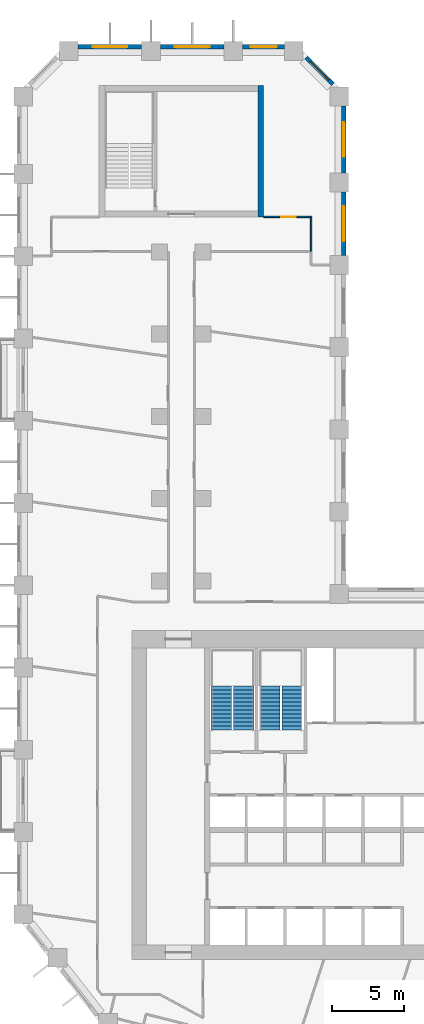
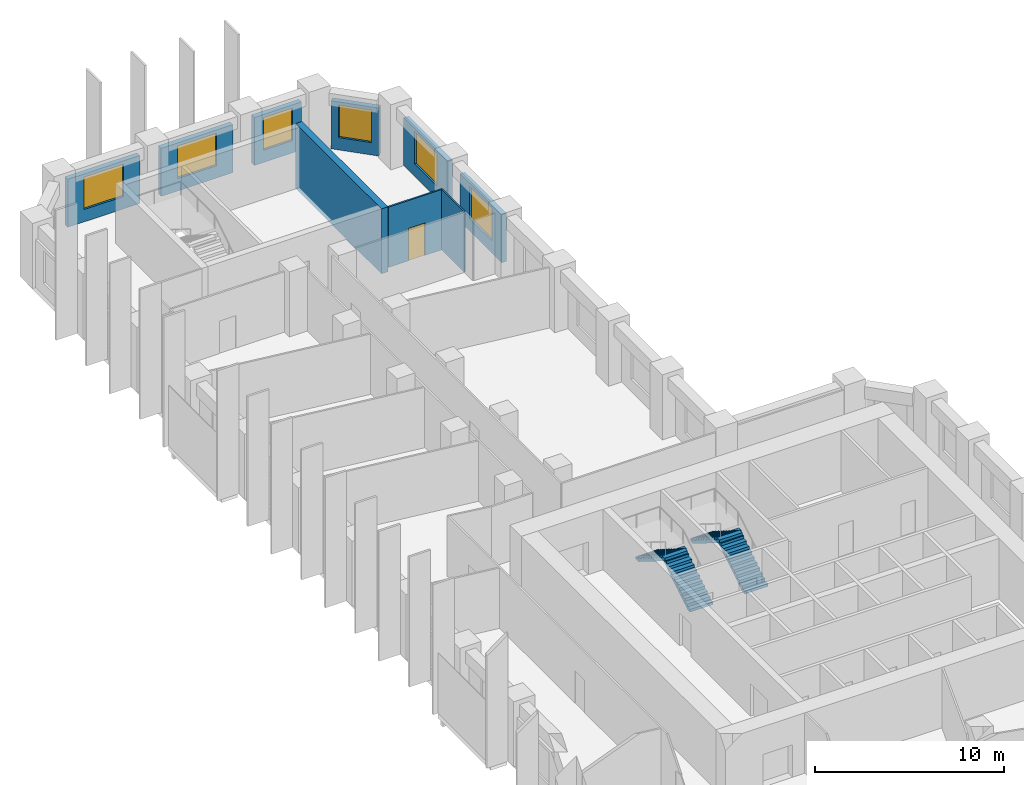
# One storey, part 9 of 11: 9 walls, 6 windows, 4 stair flights, 1 door, 7 openings, 2 elements without a shape of their own.
"""IFC4 building model written with IfcOpenShell, lengths in metres."""

from ifc_helpers import new_model, si_unit, direction, frame, frame_2d, origin, place, context, subcontext, project, spatial, polyline, rectangle, outline, extrude, material, layer, layer_set, type_object, element, fill, aggregate, save


model = new_model("IFC4")

# Units and contexts
model_context = context("Model", 3, precision=1e-05, world=origin(), true_north=direction((0.0, 1.0)))
body_context = subcontext(model_context, "Body", "Model", "MODEL_VIEW")
ifc_project = project(units=[si_unit("LENGTHUNIT", "METRE"), si_unit("AREAUNIT", "SQUARE_METRE"), si_unit("VOLUMEUNIT", "CUBIC_METRE"), si_unit("PLANEANGLEUNIT", "RADIAN"), si_unit("MASSUNIT", "GRAM", prefix="KILO")], contexts=[model_context])

# Site, building, storey
site_placement = place(None, origin())
site = spatial("IfcSite", under=ifc_project, at=site_placement, CompositionType="ELEMENT")
building_placement = place(site_placement, origin())
building = spatial("IfcBuilding", under=site, at=building_placement, Name="Meshkara Civic Tower", CompositionType="ELEMENT")
storey_placement = place(building_placement, frame((0.0, 0.0, 147.60009765625)))
storey = spatial("IfcBuildingStorey", under=building, at=storey_placement, Name="L33", CompositionType="ELEMENT", Elevation=147.60009765625)

# Wall
ifc_material_1 = material(Name="Corridor wall 100")
ifc_layer_1 = layer(ifc_material_1, 0.10009765625)
ifc_layer_set_1 = layer_set([ifc_layer_1], Name="Corridor wall 100")
wall_type_1 = type_object("IfcWallType", Name="Corridor wall 100", PredefinedType="PARTITIONING", material=ifc_layer_set_1)
wall_1_placement = place(storey_placement, frame((20.39990234375, 63.169921875, 0.0), z_axis=(0.0, 0.0, 1.0), x_axis=(0.0, 1.0, 0.0)))
element("IfcWall", 1, at=wall_1_placement, inside=storey, type_object=wall_type_1, Name="L33-W017", PredefinedType="PARTITIONING", context=body_context, shape_type="SweptSolid", body=[
    extrude(rectangle(XDim=2.400146484375, YDim=0.10009765625, at=frame_2d((1.2001953125, 0.0))), origin(), (0.0, 0.0, 1.0), 3.89990234375),
])

# Wall, opening, door
wall_2_placement = place(storey_placement, frame((20.39990234375, 65.570068359375, 0.0), z_axis=(0.0, 0.0, 1.0), x_axis=(-1.0, 0.0, 0.0)))
wall_2 = element("IfcWall", 2, at=wall_2_placement, inside=storey, type_object=wall_type_1, Name="L33-W018", PredefinedType="PARTITIONING", context=body_context, shape_type="SweptSolid", body=[
    extrude(rectangle(XDim=3.2998046875, YDim=0.10009765625, at=frame_2d((1.64990234375, 0.0))), origin(), (0.0, 0.0, 1.0), 3.89990234375),
])
opening_1_placement = place(wall_2_placement, frame((1.080078125, 0.0, 0.0)))
opening_1 = element("IfcOpeningElement", 3, at=opening_1_placement, cuts=wall_2, Name="Opening L33-D026", PredefinedType="OPENING", context=body_context, shape_type="SweptSolid", body=[
    extrude(rectangle(XDim=1.0, YDim=2.10009765625, at=frame_2d((0.5, 1.050048828125))), frame((0.0, 0.06005859375, 0.0), z_axis=(0.0, -1.0, 0.0), x_axis=(1.0, 0.0, 0.0)), (0.0, 0.0, 1.0), 0.1201171875),
])
ifc_material_2 = material(Name="Door 1000 x 2100")
door_type = type_object("IfcDoorType", Name="Door 1000 x 2100", OperationType="SINGLE_SWING_LEFT", PredefinedType="DOOR", material=ifc_material_2)
door_placement = place(opening_1_placement, origin())
door = element("IfcDoor", 4, at=door_placement, inside=storey, type_object=door_type, Name="L33-D026", OperationType="SINGLE_SWING_RIGHT", OverallHeight=2.10009765625, OverallWidth=1.0, PredefinedType="DOOR", context=body_context, shape_type="SweptSolid", body=[
    extrude(rectangle(XDim=1.0, YDim=2.10009765625, at=frame_2d((0.5, 1.050048828125))), frame((0.0, 0.02490234375, 0.0), z_axis=(0.0, -1.0, 0.0), x_axis=(1.0, 0.0, 0.0)), (0.0, 0.0, 1.0), 0.050048828125),
])
fill(opening_1, door)

# Wall, opening, window
ifc_material_3 = material(Name="Insulated infill panel with bronze anodised aluminium cladding", Category="aluminium")
ifc_layer_2 = layer(ifc_material_3, 0.300048828125)
ifc_layer_set_2 = layer_set([ifc_layer_2], Name="EXTERNAL INFILL WALL 300")
wall_type_2 = type_object("IfcWallType", Name="EXTERNAL INFILL WALL 300", PredefinedType="SOLIDWALL", material=ifc_layer_set_2)
wall_3_placement = place(storey_placement, frame((22.64990234375, 62.89990234375, 0.0), z_axis=(0.0, 0.0, 1.0), x_axis=(0.0, 1.0, 0.0)))
wall_3 = element("IfcWall", 5, at=wall_3_placement, inside=storey, type_object=wall_type_2, Name="External wall", PredefinedType="SOLIDWALL", context=body_context, shape_type="SweptSolid", body=[
    extrude(rectangle(XDim=4.400146484375, YDim=0.300048828125, at=frame_2d((2.2001953125, 0.0))), origin(), (0.0, 0.0, 1.0), 3.099853515625),
])
opening_2_placement = place(wall_3_placement, frame((1.0, 0.0, 0.800048828125)))
opening_2 = element("IfcOpeningElement", 6, at=opening_2_placement, cuts=wall_3, Name="Opening W7", PredefinedType="OPENING", context=body_context, shape_type="SweptSolid", body=[
    extrude(rectangle(XDim=2.39990234375, YDim=2.10009765625, at=frame_2d((1.199951171875, 1.050048828125))), frame((0.0, 0.159912109375, 0.0), z_axis=(0.0, -1.0, 0.0), x_axis=(1.0, 0.0, 0.0)), (0.0, 0.0, 1.0), 0.320068359375),
])
ifc_material_4 = material(Name="Tinted double glazing", Category="glass")
window_type_1 = type_object("IfcWindowType", Name="WINDOW 2400x2100", PartitioningType="DOUBLE_PANEL_VERTICAL", PredefinedType="WINDOW", material=ifc_material_4)
window_1_placement = place(opening_2_placement, origin())
window_1 = element("IfcWindow", 7, at=window_1_placement, inside=storey, type_object=window_type_1, Name="Window", OverallHeight=2.10009765625, OverallWidth=2.39990234375, PartitioningType="DOUBLE_PANEL_VERTICAL", PredefinedType="WINDOW", context=body_context, shape_type="SweptSolid", body=[
    extrude(rectangle(XDim=2.39990234375, YDim=2.10009765625, at=frame_2d((1.199951171875, 1.050048828125))), frame((0.0, 0.030029296875, 0.0), z_axis=(0.0, -1.0, 0.0), x_axis=(1.0, 0.0, 0.0)), (0.0, 0.0, 1.0), 0.06005859375),
])
fill(opening_2, window_1)

wall_4_placement = place(storey_placement, frame((22.64990234375, 68.60009765625, 0.0), z_axis=(0.0, 0.0, 1.0), x_axis=(0.0, 1.0, 0.0)))
wall_4 = element("IfcWall", 8, at=wall_4_placement, inside=storey, type_object=wall_type_2, Name="External wall", PredefinedType="SOLIDWALL", context=body_context, shape_type="SweptSolid", body=[
    extrude(rectangle(XDim=4.663818359375, YDim=0.300048828125, at=frame_2d((2.33203125, 0.0))), origin(), (0.0, 0.0, 1.0), 3.099853515625),
])
opening_3_placement = place(wall_4_placement, frame((1.132080078125, 0.0, 0.800048828125)))
opening_3 = element("IfcOpeningElement", 9, at=opening_3_placement, cuts=wall_4, Name="Opening W7", PredefinedType="OPENING", context=body_context, shape_type="SweptSolid", body=[
    extrude(rectangle(XDim=2.39990234375, YDim=2.10009765625, at=frame_2d((1.199951171875, 1.050048828125))), frame((0.0, 0.159912109375, 0.0), z_axis=(0.0, -1.0, 0.0), x_axis=(1.0, 0.0, 0.0)), (0.0, 0.0, 1.0), 0.320068359375),
])
window_2_placement = place(opening_3_placement, origin())
window_2 = element("IfcWindow", 10, at=window_2_placement, inside=storey, type_object=window_type_1, Name="Window", OverallHeight=2.10009765625, OverallWidth=2.39990234375, PartitioningType="DOUBLE_PANEL_VERTICAL", PredefinedType="WINDOW", context=body_context, shape_type="SweptSolid", body=[
    extrude(rectangle(XDim=2.39990234375, YDim=2.10009765625, at=frame_2d((1.199951171875, 1.050048828125))), frame((0.0, 0.030029296875, 0.0), z_axis=(0.0, -1.0, 0.0), x_axis=(1.0, 0.0, 0.0)), (0.0, 0.0, 1.0), 0.06005859375),
])
fill(opening_3, window_2)

wall_5_placement = place(storey_placement, frame((21.912109375, 74.77587890625, 0.0), z_axis=(0.0, 0.0, 1.0), x_axis=(-0.707106781187, 0.707106781187, 0.0)))
wall_5 = element("IfcWall", 11, at=wall_5_placement, inside=storey, type_object=wall_type_2, Name="External wall", PredefinedType="SOLIDWALL", context=body_context, shape_type="SweptSolid", body=[
    extrude(rectangle(XDim=2.625, YDim=0.300048828125, at=frame_2d((1.3125, 0.0))), origin(), (0.0, 0.0, 1.0), 3.099853515625),
])
opening_4_placement = place(wall_5_placement, frame((0.412109375, 0.0, 0.800048828125)))
opening_4 = element("IfcOpeningElement", 12, at=opening_4_placement, cuts=wall_5, Name="Opening W9", PredefinedType="OPENING", context=body_context, shape_type="SweptSolid", body=[
    extrude(rectangle(XDim=1.800048828125, YDim=2.10009765625, at=frame_2d((0.89990234375, 1.050048828125))), frame((0.0, 0.159912109375, 0.0), z_axis=(0.0, -1.0, 0.0), x_axis=(1.0, 0.0, 0.0)), (0.0, 0.0, 1.0), 0.320068359375),
])
ifc_material_5 = material(Name="Tinted double glazing", Category="glass")
window_type_2 = type_object("IfcWindowType", Name="WINDOW 1800x2100", PartitioningType="DOUBLE_PANEL_VERTICAL", PredefinedType="WINDOW", material=ifc_material_5)
window_3_placement = place(opening_4_placement, origin())
window_3 = element("IfcWindow", 13, at=window_3_placement, inside=storey, type_object=window_type_2, Name="Window", OverallHeight=2.10009765625, OverallWidth=1.800048828125, PartitioningType="DOUBLE_PANEL_VERTICAL", PredefinedType="WINDOW", context=body_context, shape_type="SweptSolid", body=[
    extrude(rectangle(XDim=1.800048828125, YDim=2.10009765625, at=frame_2d((0.89990234375, 1.050048828125))), frame((0.0, 0.030029296875, 0.0), z_axis=(0.0, -1.0, 0.0), x_axis=(1.0, 0.0, 0.0)), (0.0, 0.0, 1.0), 0.06005859375),
])
fill(opening_4, window_3)

wall_6_placement = place(storey_placement, frame((18.5439453125, 77.3701171875, 0.0), z_axis=(0.0, 0.0, 1.0), x_axis=(-1.0, 0.0, 0.0)))
wall_6 = element("IfcWall", 14, at=wall_6_placement, inside=storey, type_object=wall_type_2, Name="External wall", PredefinedType="SOLIDWALL", context=body_context, shape_type="SweptSolid", body=[
    extrude(rectangle(XDim=2.887939453125, YDim=0.300048828125, at=frame_2d((1.44384765625, 0.0))), origin(), (0.0, 0.0, 1.0), 3.099853515625),
])
opening_5_placement = place(wall_6_placement, frame((0.5439453125, 0.0, 0.800048828125)))
opening_5 = element("IfcOpeningElement", 15, at=opening_5_placement, cuts=wall_6, Name="Opening W9", PredefinedType="OPENING", context=body_context, shape_type="SweptSolid", body=[
    extrude(rectangle(XDim=1.800048828125, YDim=2.10009765625, at=frame_2d((0.89990234375, 1.050048828125))), frame((0.0, 0.159912109375, 0.0), z_axis=(0.0, -1.0, 0.0), x_axis=(1.0, 0.0, 0.0)), (0.0, 0.0, 1.0), 0.320068359375),
])
window_4_placement = place(opening_5_placement, origin())
window_4 = element("IfcWindow", 16, at=window_4_placement, inside=storey, type_object=window_type_2, Name="Window", OverallHeight=2.10009765625, OverallWidth=1.800048828125, PartitioningType="DOUBLE_PANEL_VERTICAL", PredefinedType="WINDOW", context=body_context, shape_type="SweptSolid", body=[
    extrude(rectangle(XDim=1.800048828125, YDim=2.10009765625, at=frame_2d((0.89990234375, 1.050048828125))), frame((0.0, 0.030029296875, 0.0), z_axis=(0.0, -1.0, 0.0), x_axis=(1.0, 0.0, 0.0)), (0.0, 0.0, 1.0), 0.06005859375),
])
fill(opening_5, window_4)

wall_7_placement = place(storey_placement, frame((14.35595703125, 77.3701171875, 0.0), z_axis=(0.0, 0.0, 1.0), x_axis=(-1.0, 0.0, 0.0)))
wall_7 = element("IfcWall", 17, at=wall_7_placement, inside=storey, type_object=wall_type_2, Name="External wall", PredefinedType="SOLIDWALL", context=body_context, shape_type="SweptSolid", body=[
    extrude(rectangle(XDim=4.39990234375, YDim=0.300048828125, at=frame_2d((2.199951171875, 0.0))), origin(), (0.0, 0.0, 1.0), 3.099853515625),
])
opening_6_placement = place(wall_7_placement, frame((1.0, 0.0, 0.800048828125)))
opening_6 = element("IfcOpeningElement", 18, at=opening_6_placement, cuts=wall_7, Name="Opening W7", PredefinedType="OPENING", context=body_context, shape_type="SweptSolid", body=[
    extrude(rectangle(XDim=2.39990234375, YDim=2.10009765625, at=frame_2d((1.199951171875, 1.050048828125))), frame((0.0, 0.159912109375, 0.0), z_axis=(0.0, -1.0, 0.0), x_axis=(1.0, 0.0, 0.0)), (0.0, 0.0, 1.0), 0.320068359375),
])
window_5_placement = place(opening_6_placement, origin())
window_5 = element("IfcWindow", 19, at=window_5_placement, inside=storey, type_object=window_type_1, Name="Window", OverallHeight=2.10009765625, OverallWidth=2.39990234375, PartitioningType="DOUBLE_PANEL_VERTICAL", PredefinedType="WINDOW", context=body_context, shape_type="SweptSolid", body=[
    extrude(rectangle(XDim=2.39990234375, YDim=2.10009765625, at=frame_2d((1.199951171875, 1.050048828125))), frame((0.0, 0.030029296875, 0.0), z_axis=(0.0, -1.0, 0.0), x_axis=(1.0, 0.0, 0.0)), (0.0, 0.0, 1.0), 0.06005859375),
])
fill(opening_6, window_5)

wall_8_placement = place(storey_placement, frame((8.656005859375, 77.3701171875, 0.0), z_axis=(0.0, 0.0, 1.0), x_axis=(-1.0, 0.0, 0.0)))
wall_8 = element("IfcWall", 20, at=wall_8_placement, inside=storey, type_object=wall_type_2, Name="External wall", PredefinedType="SOLIDWALL", context=body_context, shape_type="SweptSolid", body=[
    extrude(rectangle(XDim=4.39990234375, YDim=0.300048828125, at=frame_2d((2.199951171875, 0.0))), origin(), (0.0, 0.0, 1.0), 3.099853515625),
])
opening_7_placement = place(wall_8_placement, frame((1.0, 0.0, 0.800048828125)))
opening_7 = element("IfcOpeningElement", 21, at=opening_7_placement, cuts=wall_8, Name="Opening W7", PredefinedType="OPENING", context=body_context, shape_type="SweptSolid", body=[
    extrude(rectangle(XDim=2.39990234375, YDim=2.10009765625, at=frame_2d((1.199951171875, 1.050048828125))), frame((0.0, 0.159912109375, 0.0), z_axis=(0.0, -1.0, 0.0), x_axis=(1.0, 0.0, 0.0)), (0.0, 0.0, 1.0), 0.320068359375),
])
window_6_placement = place(opening_7_placement, origin())
window_6 = element("IfcWindow", 22, at=window_6_placement, inside=storey, type_object=window_type_1, Name="Window", OverallHeight=2.10009765625, OverallWidth=2.39990234375, PartitioningType="DOUBLE_PANEL_VERTICAL", PredefinedType="WINDOW", context=body_context, shape_type="SweptSolid", body=[
    extrude(rectangle(XDim=2.39990234375, YDim=2.10009765625, at=frame_2d((1.199951171875, 1.050048828125))), frame((0.0, 0.030029296875, 0.0), z_axis=(0.0, -1.0, 0.0), x_axis=(1.0, 0.0, 0.0)), (0.0, 0.0, 1.0), 0.06005859375),
])
fill(opening_7, window_6)

# Wall
ifc_material_6 = material(Name="Concrete C70", Category="concrete")
ifc_layer_3 = layer(ifc_material_6, 0.39990234375)
ifc_layer_set_3 = layer_set([ifc_layer_3], Name="End core ring wall 400 C70")
wall_type_3 = type_object("IfcWallType", Name="End core ring wall 400 C70", PredefinedType="SHEAR", material=ifc_layer_set_3)
wall_9_placement = place(storey_placement, frame((16.89990234375, 65.570068359375, -0.300048828125), z_axis=(0.0, 0.0, 1.0), x_axis=(0.0, 1.0, 0.0)))
element("IfcWall", 23, at=wall_9_placement, inside=storey, type_object=wall_type_3, Name="L33-C027", PredefinedType="SHEAR", context=body_context, shape_type="SweptSolid", body=[
    extrude(rectangle(XDim=9.099853515625, YDim=0.39990234375, at=frame_2d((4.5498046875, 0.0))), origin(), (0.0, 0.0, 1.0), 4.199951171875),
])

# Stair, stair flights
ifc_material_7 = material(Name="Precast concrete C40/50", Category="concrete")
stair_type = type_object("IfcStairType", Name="Exit stair half-turn 24 risers precast", PredefinedType="HALF_TURN_STAIR", material=ifc_material_7)
stair_1_placement = place(storey_placement, origin())
stair_1 = element("IfcStair", 24, at=stair_1_placement, inside=storey, type_object=stair_type, Name="L33 exit stair 1", PredefinedType="HALF_TURN_STAIR")
ifc_material_8 = material(Name="Precast concrete C40/50", Category="concrete")
stair_flight_type = type_object("IfcStairFlightType", Name="Exit stair flight 12 risers precast", PredefinedType="STRAIGHT", material=ifc_material_8)
stair_flight_1_placement = place(storey_placement, frame((15.72509765625, 30.0, 0.0), z_axis=(0.0, 0.0, 1.0), x_axis=(0.0, 1.0, 0.0)))
stair_flight_1 = element("IfcStairFlight", 25, at=stair_flight_1_placement, type_object=stair_flight_type, Name="ST1 flight 1", NumberOfRisers=12, NumberOfTreads=11, PredefinedType="STRAIGHT", RiserHeight=0.175, TreadLength=0.28, context=body_context, shape_type="SweptSolid", body=[
    extrude(outline(polyline([(0.0, 0.0), (0.0, 0.175048828125), (0.280029296875, 0.175048828125), (0.280029296875, 0.35009765625), (0.56005859375, 0.35009765625), (0.56005859375, 0.52490234375), (0.840087890625, 0.52490234375), (0.840087890625, 0.699951171875), (1.1201171875, 0.699951171875), (1.1201171875, 0.875), (1.39990234375, 0.875), (1.39990234375, 1.050048828125), (1.679931640625, 1.050048828125), (1.679931640625, 1.22509765625), (1.9599609375, 1.22509765625), (1.9599609375, 1.39990234375), (2.239990234375, 1.39990234375), (2.239990234375, 1.574951171875), (2.52001953125, 1.574951171875), (2.52001953125, 1.75), (2.800048828125, 1.75), (2.800048828125, 1.925048828125), (3.080078125, 1.925048828125), (3.080078125, 2.10009765625), (3.080078125, 1.748291015625), (0.28271484375, 0.0), (0.0, 0.0)])), frame((0.0, 0.699951171875, 0.0), z_axis=(0.0, -1.0, 0.0), x_axis=(1.0, 0.0, 0.0)), (0.0, 0.0, 1.0), 1.39990234375),
])
stair_flight_2_placement = place(storey_placement, frame((14.175048828125, 33.080078125, 2.099853515625), z_axis=(0.0, 0.0, 1.0), x_axis=(0.0, -1.0, 0.0)))
stair_flight_2 = element("IfcStairFlight", 26, at=stair_flight_2_placement, type_object=stair_flight_type, Name="ST1 flight 2", NumberOfRisers=12, NumberOfTreads=11, PredefinedType="STRAIGHT", RiserHeight=0.175, TreadLength=0.28, context=body_context, shape_type="SweptSolid", body=[
    extrude(outline(polyline([(0.0, 0.0), (0.0, 0.175048828125), (0.280029296875, 0.175048828125), (0.280029296875, 0.35009765625), (0.56005859375, 0.35009765625), (0.56005859375, 0.52490234375), (0.840087890625, 0.52490234375), (0.840087890625, 0.699951171875), (1.1201171875, 0.699951171875), (1.1201171875, 0.875), (1.39990234375, 0.875), (1.39990234375, 1.050048828125), (1.679931640625, 1.050048828125), (1.679931640625, 1.22509765625), (1.9599609375, 1.22509765625), (1.9599609375, 1.39990234375), (2.239990234375, 1.39990234375), (2.239990234375, 1.574951171875), (2.52001953125, 1.574951171875), (2.52001953125, 1.75), (2.800048828125, 1.75), (2.800048828125, 1.925048828125), (3.080078125, 1.925048828125), (3.080078125, 2.10009765625), (3.080078125, 1.748291015625), (0.28271484375, 0.0), (0.0, 0.0)])), frame((0.0, 0.699951171875, 0.0), z_axis=(0.0, -1.0, 0.0), x_axis=(1.0, 0.0, 0.0)), (0.0, 0.0, 1.0), 1.39990234375),
])
aggregate(stair_1, [stair_flight_1, stair_flight_2])

stair_2_placement = place(storey_placement, origin())
stair_2 = element("IfcStair", 27, at=stair_2_placement, inside=storey, type_object=stair_type, Name="L33 exit stair 2", PredefinedType="HALF_TURN_STAIR")
stair_flight_3_placement = place(storey_placement, frame((19.074951171875, 30.0, 0.0), z_axis=(0.0, 0.0, 1.0), x_axis=(0.0, 1.0, 0.0)))
stair_flight_3 = element("IfcStairFlight", 28, at=stair_flight_3_placement, type_object=stair_flight_type, Name="ST2 flight 1", NumberOfRisers=12, NumberOfTreads=11, PredefinedType="STRAIGHT", RiserHeight=0.175, TreadLength=0.28, context=body_context, shape_type="SweptSolid", body=[
    extrude(outline(polyline([(0.0, 0.0), (0.0, 0.175048828125), (0.280029296875, 0.175048828125), (0.280029296875, 0.35009765625), (0.56005859375, 0.35009765625), (0.56005859375, 0.52490234375), (0.840087890625, 0.52490234375), (0.840087890625, 0.699951171875), (1.1201171875, 0.699951171875), (1.1201171875, 0.875), (1.39990234375, 0.875), (1.39990234375, 1.050048828125), (1.679931640625, 1.050048828125), (1.679931640625, 1.22509765625), (1.9599609375, 1.22509765625), (1.9599609375, 1.39990234375), (2.239990234375, 1.39990234375), (2.239990234375, 1.574951171875), (2.52001953125, 1.574951171875), (2.52001953125, 1.75), (2.800048828125, 1.75), (2.800048828125, 1.925048828125), (3.080078125, 1.925048828125), (3.080078125, 2.10009765625), (3.080078125, 1.748291015625), (0.28271484375, 0.0), (0.0, 0.0)])), frame((0.0, 0.699951171875, 0.0), z_axis=(0.0, -1.0, 0.0), x_axis=(1.0, 0.0, 0.0)), (0.0, 0.0, 1.0), 1.39990234375),
])
stair_flight_4_placement = place(storey_placement, frame((17.52490234375, 33.080078125, 2.099853515625), z_axis=(0.0, 0.0, 1.0), x_axis=(0.0, -1.0, 0.0)))
stair_flight_4 = element("IfcStairFlight", 29, at=stair_flight_4_placement, type_object=stair_flight_type, Name="ST2 flight 2", NumberOfRisers=12, NumberOfTreads=11, PredefinedType="STRAIGHT", RiserHeight=0.175, TreadLength=0.28, context=body_context, shape_type="SweptSolid", body=[
    extrude(outline(polyline([(0.0, 0.0), (0.0, 0.175048828125), (0.280029296875, 0.175048828125), (0.280029296875, 0.35009765625), (0.56005859375, 0.35009765625), (0.56005859375, 0.52490234375), (0.840087890625, 0.52490234375), (0.840087890625, 0.699951171875), (1.1201171875, 0.699951171875), (1.1201171875, 0.875), (1.39990234375, 0.875), (1.39990234375, 1.050048828125), (1.679931640625, 1.050048828125), (1.679931640625, 1.22509765625), (1.9599609375, 1.22509765625), (1.9599609375, 1.39990234375), (2.239990234375, 1.39990234375), (2.239990234375, 1.574951171875), (2.52001953125, 1.574951171875), (2.52001953125, 1.75), (2.800048828125, 1.75), (2.800048828125, 1.925048828125), (3.080078125, 1.925048828125), (3.080078125, 2.10009765625), (3.080078125, 1.748291015625), (0.28271484375, 0.0), (0.0, 0.0)])), frame((0.0, 0.699951171875, 0.0), z_axis=(0.0, -1.0, 0.0), x_axis=(1.0, 0.0, 0.0)), (0.0, 0.0, 1.0), 1.39990234375),
])
aggregate(stair_2, [stair_flight_3, stair_flight_4])

save(model, "model.ifc")
